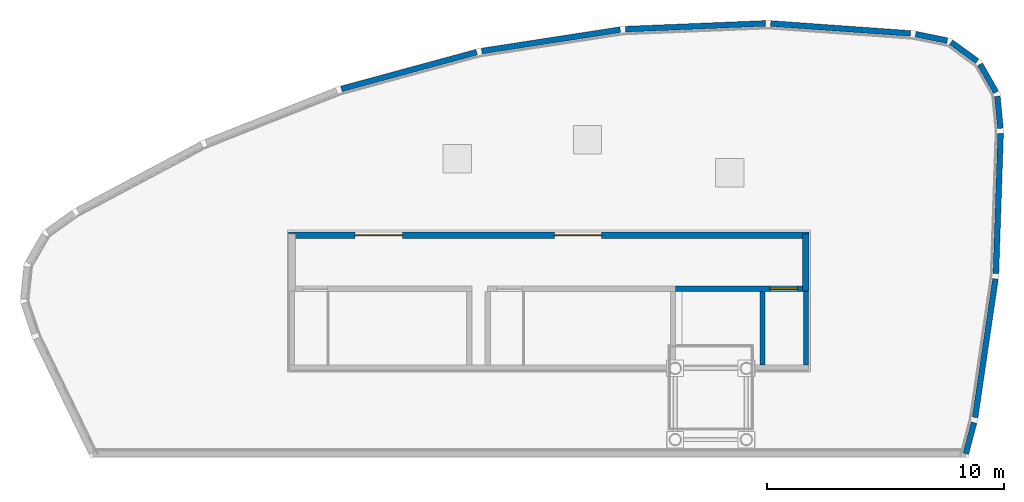
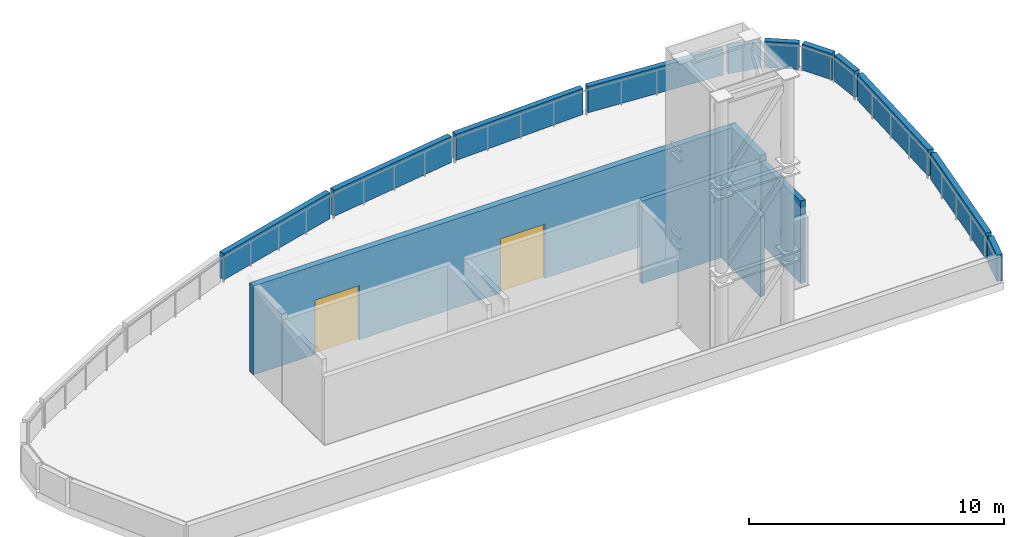
# One storey, part 2 of 3: 16 walls, 3 doors, 3 openings.
"""IFC4 building model written with IfcOpenShell, lengths in metres."""

from ifc_helpers import new_model, si_unit, direction, frame, frame_2d, origin, place, context, subcontext, project, spatial, rectangle, extrude, material, layer, layer_set, type_object, element, fill, save


model = new_model("IFC4")

# Units and contexts
model_context = context("Model", 3, precision=1e-05, world=origin(), true_north=direction((0.0, 1.0)))
body_context = subcontext(model_context, "Body", "Model", "MODEL_VIEW")
ifc_project = project(units=[si_unit("LENGTHUNIT", "METRE"), si_unit("AREAUNIT", "SQUARE_METRE"), si_unit("VOLUMEUNIT", "CUBIC_METRE"), si_unit("PLANEANGLEUNIT", "RADIAN"), si_unit("MASSUNIT", "GRAM", prefix="KILO")], contexts=[model_context])

# Site, building, storey
site_placement = place(None, origin())
site = spatial("IfcSite", under=ifc_project, at=site_placement, CompositionType="ELEMENT")
building_placement = place(site_placement, origin())
building = spatial("IfcBuilding", under=site, at=building_placement, Name="Tavelor Broadcast Tower", CompositionType="ELEMENT")
storey_placement = place(building_placement, frame((0.0, 0.0, 359.699951171875)))
storey = spatial("IfcBuildingStorey", under=building, at=storey_placement, Name="RF", CompositionType="ELEMENT", Elevation=359.699951171875)

# Wall
ifc_material_1 = material(Name="Precast Concrete C40/50", Category="concrete")
ifc_layer_1 = layer(ifc_material_1, 0.280029296875)
ifc_layer_set_1 = layer_set([ifc_layer_1], Name="Precast Concrete C40/50")
wall_type_1 = type_object("IfcWallType", Name="Insulated Precast Terracotta Facade Wall 280 mm", PredefinedType="STANDARD", material=ifc_layer_set_1)
wall_1_placement = place(storey_placement, frame((56.7099609375, 51.219970703125, 0.0), z_axis=(0.0, 0.0, 1.0), x_axis=(0.0, 1.0, 0.0)))
element("IfcWall", 1, at=wall_1_placement, inside=storey, type_object=wall_type_1, Name="RF Stair Head-House East Facade Wall", PredefinedType="STANDARD", context=body_context, shape_type="SweptSolid", body=[
    extrude(rectangle(XDim=2.400146484375, YDim=0.280029296875, at=frame_2d((1.2001953125, 0.0))), origin(), (0.0, 0.0, 1.0), 4.25),
])

# Wall, openings, doors
wall_2_placement = place(storey_placement, frame((34.89990234375, 53.56005859375, 0.0), z_axis=(0.0, 0.0, 1.0), x_axis=(1.0, 0.0, 0.0)))
wall_2 = element("IfcWall", 2, at=wall_2_placement, inside=storey, type_object=wall_type_1, Name="RF Stair Head-House North Facade Wall", PredefinedType="STANDARD", context=body_context, shape_type="SweptSolid", body=[
    extrude(rectangle(XDim=21.9501953125, YDim=0.280029296875, at=frame_2d((10.97509765625, 0.0))), origin(), (0.0, 0.0, 1.0), 4.25),
])
opening_1_placement = place(wall_2_placement, frame((2.800048828125, 0.0, 0.0)))
opening_1 = element("IfcOpeningElement", 3, at=opening_1_placement, cuts=wall_2, Name="Opening DR47", PredefinedType="OPENING", context=body_context, shape_type="SweptSolid", body=[
    extrude(rectangle(XDim=2.0, YDim=2.60009765625, at=frame_2d((1.0, 1.300048828125))), frame((0.0, 0.14990234375, 0.0), z_axis=(0.0, -1.0, 0.0), x_axis=(1.0, 0.0, 0.0)), (0.0, 0.0, 1.0), 0.300048828125),
])
opening_2_placement = place(wall_2_placement, frame((11.199951171875, 0.0, 0.0)))
opening_2 = element("IfcOpeningElement", 4, at=opening_2_placement, cuts=wall_2, Name="Opening DR47", PredefinedType="OPENING", context=body_context, shape_type="SweptSolid", body=[
    extrude(rectangle(XDim=2.0, YDim=2.60009765625, at=frame_2d((1.0, 1.300048828125))), frame((0.0, 0.14990234375, 0.0), z_axis=(0.0, -1.0, 0.0), x_axis=(1.0, 0.0, 0.0)), (0.0, 0.0, 1.0), 0.300048828125),
])
ifc_material_2 = material(Name="Architectural Anodized Aluminium", Category="aluminium")
door_type_1 = type_object("IfcDoorType", Name="Main Plaza Entrance Double Exit Door 2000x2600", OperationType="NOTDEFINED", PredefinedType="DOOR", material=ifc_material_2)
door_1_placement = place(opening_1_placement, frame((2.0, 0.0, 0.0), z_axis=(0.0, 0.0, 1.0), x_axis=(-1.0, 0.0, 0.0)))
door_1 = element("IfcDoor", 5, at=door_1_placement, inside=storey, type_object=door_type_1, Name="RF Stair ST5 Head-House Roof Maintenance Access Door", OperationType="DOUBLE_DOOR_SINGLE_SWING", OverallHeight=2.60009765625, OverallWidth=2.0, PredefinedType="DOOR", context=body_context, shape_type="SweptSolid", body=[
    extrude(rectangle(XDim=2.0, YDim=2.60009765625, at=frame_2d((1.0, 1.300048828125))), frame((0.0, 0.02490234375, 0.0), z_axis=(0.0, -1.0, 0.0), x_axis=(1.0, 0.0, 0.0)), (0.0, 0.0, 1.0), 0.050048828125),
])
fill(opening_1, door_1)
door_2_placement = place(opening_2_placement, frame((2.0, 0.0, 0.0), z_axis=(0.0, 0.0, 1.0), x_axis=(-1.0, 0.0, 0.0)))
door_2 = element("IfcDoor", 6, at=door_2_placement, inside=storey, type_object=door_type_1, Name="RF Stair ST1 Head-House Roof Maintenance Access Door", OperationType="DOUBLE_DOOR_SINGLE_SWING", OverallHeight=2.60009765625, OverallWidth=2.0, PredefinedType="DOOR", context=body_context, shape_type="SweptSolid", body=[
    extrude(rectangle(XDim=2.0, YDim=2.60009765625, at=frame_2d((1.0, 1.300048828125))), frame((0.0, 0.02490234375, 0.0), z_axis=(0.0, -1.0, 0.0), x_axis=(1.0, 0.0, 0.0)), (0.0, 0.0, 1.0), 0.050048828125),
])
fill(opening_2, door_2)

# Walls
ifc_material_3 = material(Name="Concrete Blockwork 200 mm", Category="masonry")
ifc_layer_2 = layer(ifc_material_3, 0.199951171875)
ifc_layer_set_2 = layer_set([ifc_layer_2], Name="Concrete Blockwork 200 mm")
wall_type_2 = type_object("IfcWallType", Name="Lift and Riser Shaft Enclosure Wall 200 mm", PredefinedType="PARTITIONING", material=ifc_layer_set_2)
wall_3_placement = place(storey_placement, frame((54.8798828125, 48.10009765625, 0.0), z_axis=(0.0, 0.0, 1.0), x_axis=(0.0, 1.0, 0.0)))
element("IfcWall", 7, at=wall_3_placement, inside=storey, type_object=wall_type_2, Name="RF Lift SVL1 Overrun Separator Wall", PredefinedType="PARTITIONING", context=body_context, shape_type="SweptSolid", body=[
    extrude(rectangle(XDim=3.099853515625, YDim=0.199951171875, at=frame_2d((1.5498046875, 0.0))), origin(), (0.0, 0.0, 1.0), 3.85009765625),
])
ifc_layer_3 = layer(ifc_material_1, 0.239990234375)
ifc_layer_set_3 = layer_set([ifc_layer_3], Name="Precast Concrete C40/50")
wall_type_3 = type_object("IfcWallType", Name="Roof and Terrace Perimeter Parapet Wall 240 mm", PredefinedType="PARAPET", material=ifc_layer_set_3)
wall_4_placement = place(storey_placement, frame((63.45361328125, 44.351806640625, 0.0), z_axis=(0.0, 0.0, 1.0), x_axis=(0.255210308529, 0.966885566352, 0.0)))
element("IfcWall", 8, at=wall_4_placement, inside=storey, type_object=wall_type_3, Name="RF Peak A Roof Perimeter Parapet 02", PredefinedType="PARAPET", context=body_context, shape_type="SweptSolid", body=[
    extrude(rectangle(XDim=1.357421875, YDim=0.239990234375, at=frame_2d((0.6787109375, 0.0))), origin(), (0.0, 0.0, 1.0), 1.25),
])
wall_5_placement = place(storey_placement, frame((63.844970703125, 45.8837890625, 0.0), z_axis=(0.0, 0.0, 1.0), x_axis=(0.145263107592, 0.989393061211, 0.0)))
element("IfcWall", 9, at=wall_5_placement, inside=storey, type_object=wall_type_3, Name="RF Peak A Roof Perimeter Parapet 03", PredefinedType="PARAPET", context=body_context, shape_type="SweptSolid", body=[
    extrude(rectangle(XDim=5.906005859375, YDim=0.239990234375, at=frame_2d((2.953125, 0.0))), origin(), (0.0, 0.0, 1.0), 1.25),
])
wall_6_placement = place(storey_placement, frame((64.722900390625, 51.949951171875, 0.0), z_axis=(0.0, 0.0, 1.0), x_axis=(0.033482745864, 0.99943929567, 0.0)))
element("IfcWall", 10, at=wall_6_placement, inside=storey, type_object=wall_type_3, Name="RF Peak A Roof Perimeter Parapet 04", PredefinedType="PARAPET", context=body_context, shape_type="SweptSolid", body=[
    extrude(rectangle(XDim=5.90625, YDim=0.239990234375, at=frame_2d((2.953125, 0.0))), origin(), (0.0, 0.0, 1.0), 1.25),
])
wall_7_placement = place(storey_placement, frame((64.913818359375, 58.07373046875, 0.0), z_axis=(0.0, 0.0, 1.0), x_axis=(-0.096891879034, 0.995294912967, 0.0)))
element("IfcWall", 11, at=wall_7_placement, inside=storey, type_object=wall_type_3, Name="RF Peak A Roof Perimeter Parapet 05", PredefinedType="PARAPET", context=body_context, shape_type="SweptSolid", body=[
    extrude(rectangle(XDim=1.360595703125, YDim=0.239990234375, at=frame_2d((0.68017578125, 0.0))), origin(), (0.0, 0.0, 1.0), 1.25),
])
for number, where, z_axis, x_axis, name in (
    (12, (64.728515625, 59.59521484375, 0.0), (0.0, 0.0, 1.0), (-0.497665030532, 0.867369308533, 0.0), "RF Peak A Roof Perimeter Parapet 06"),
    (13, (63.933837890625, 60.90576171875, 0.0), (0.0, 0.0, 1.0), (-0.810470952247, 0.585778828196, 0.0), "RF Peak A Roof Perimeter Parapet 07"),
):
    element("IfcWall", number, at=place(storey_placement, frame(where, z_axis=z_axis, x_axis=x_axis)), inside=storey, type_object=wall_type_3, Name=name, PredefinedType="PARAPET", context=body_context, shape_type="SweptSolid", body=[
        extrude(rectangle(XDim=1.3603515625, YDim=0.239990234375, at=frame_2d((0.68017578125, 0.0))), origin(), (0.0, 0.0, 1.0), 1.25),
    ])
wall_8_placement = place(storey_placement, frame((62.67041015625, 61.773193359375, 0.0), z_axis=(0.0, 0.0, 1.0), x_axis=(-0.979743746461, 0.200255315211, 0.0)))
element("IfcWall", 14, at=wall_8_placement, inside=storey, type_object=wall_type_3, Name="RF Peak A Roof Perimeter Parapet 08", PredefinedType="PARAPET", context=body_context, shape_type="SweptSolid", body=[
    extrude(rectangle(XDim=1.360595703125, YDim=0.239990234375, at=frame_2d((0.68017578125, 0.0))), origin(), (0.0, 0.0, 1.0), 1.25),
])
wall_9_placement = place(storey_placement, frame((61.1181640625, 62.07568359375, 0.0), z_axis=(0.0, 0.0, 1.0), x_axis=(-0.997466039004, 0.071144226993, 0.0)))
element("IfcWall", 15, at=wall_9_placement, inside=storey, type_object=wall_type_3, Name="RF Peak A Roof Perimeter Parapet 09", PredefinedType="PARAPET", context=body_context, shape_type="SweptSolid", body=[
    extrude(rectangle(XDim=5.90576171875, YDim=0.239990234375, at=frame_2d((2.952880859375, 0.0))), origin(), (0.0, 0.0, 1.0), 1.25),
])
for number, where, z_axis, x_axis, name in (
    (16, (55.00341796875, 62.499267578125, 0.0), (0.0, 0.0, 1.0), (-0.999157189471, -0.041047664108, 0.0), "RF Peak A Roof Perimeter Parapet 10"),
    (17, (48.87939453125, 62.235107421875, 0.0), (0.0, 0.0, 1.0), (-0.988272083648, -0.152703270046, 0.0), "RF Peak A Roof Perimeter Parapet 11"),
):
    element("IfcWall", number, at=place(storey_placement, frame(where, z_axis=z_axis, x_axis=x_axis)), inside=storey, type_object=wall_type_3, Name=name, PredefinedType="PARAPET", context=body_context, shape_type="SweptSolid", body=[
        extrude(rectangle(XDim=5.906005859375, YDim=0.239990234375, at=frame_2d((2.953125, 0.0))), origin(), (0.0, 0.0, 1.0), 1.25),
    ])
wall_10_placement = place(storey_placement, frame((42.823486328125, 61.28662109375, 0.0), z_axis=(0.0, 0.0, 1.0), x_axis=(-0.964952463492, -0.262424738165, 0.0)))
element("IfcWall", 18, at=wall_10_placement, inside=storey, type_object=wall_type_3, Name="RF Peak A Roof Perimeter Parapet 12", PredefinedType="PARAPET", context=body_context, shape_type="SweptSolid", body=[
    extrude(rectangle(XDim=5.90576171875, YDim=0.239990234375, at=frame_2d((2.952880859375, 0.0))), origin(), (0.0, 0.0, 1.0), 1.25),
])
ifc_material_4 = material(Name="Concrete C40/50", Category="concrete")
ifc_layer_4 = layer(ifc_material_4, 0.219970703125)
ifc_layer_set_4 = layer_set([ifc_layer_4], Name="Concrete C40/50")
wall_type_4 = type_object("IfcWallType", Name="Structural Stairwell Shear Wall 220 mm", PredefinedType="SHEAR", material=ifc_layer_set_4)
wall_11_placement = place(storey_placement, frame((56.7099609375, 48.10009765625, 0.0), z_axis=(0.0, 0.0, 1.0), x_axis=(0.0, 1.0, 0.0)))
element("IfcWall", 19, at=wall_11_placement, inside=storey, type_object=wall_type_4, Name="RF Service Lift Head-House East Wall", PredefinedType="SHEAR", context=body_context, shape_type="SweptSolid", body=[
    extrude(rectangle(XDim=3.099853515625, YDim=0.219970703125, at=frame_2d((1.5498046875, 0.0))), origin(), (0.0, 0.0, 1.0), 3.949951171875),
])

# Wall, opening, door
wall_12_placement = place(storey_placement, frame((51.219970703125, 51.31005859375, 0.0), z_axis=(0.0, 0.0, 1.0), x_axis=(1.0, 0.0, 0.0)))
wall_12 = element("IfcWall", 20, at=wall_12_placement, inside=storey, type_object=wall_type_4, Name="RF Service Lift Head-House North Wall", PredefinedType="SHEAR", context=body_context, shape_type="SweptSolid", body=[
    extrude(rectangle(XDim=5.60009765625, YDim=0.219970703125, at=frame_2d((2.800048828125, 0.0))), origin(), (0.0, 0.0, 1.0), 3.949951171875),
])
opening_3_placement = place(wall_12_placement, frame((3.985107421875, 0.0, 0.0)))
opening_3 = element("IfcOpeningElement", 21, at=opening_3_placement, cuts=wall_12, Name="Opening LD03", PredefinedType="OPENING", context=body_context, shape_type="SweptSolid", body=[
    extrude(rectangle(XDim=1.14990234375, YDim=2.199951171875, at=frame_2d((0.574951171875, 1.10009765625))), frame((0.0, 0.1201171875, 0.0), z_axis=(0.0, -1.0, 0.0), x_axis=(1.0, 0.0, 0.0)), (0.0, 0.0, 1.0), 0.239990234375),
])
ifc_material_5 = material(Name="Reinforced Brushed Stainless Steel", Category="concrete")
door_type_2 = type_object("IfcDoorType", Name="Broadcast Goods Lift Sliding Landing Door 1250x2200", OperationType="NOTDEFINED", PredefinedType="DOOR", material=ifc_material_5)
door_3_placement = place(opening_3_placement, origin())
door_3 = element("IfcDoor", 22, at=door_3_placement, inside=storey, type_object=door_type_2, Name="RF Lift SVL1 Sliding Landing Door", OperationType="SLIDING_TO_LEFT", OverallHeight=2.199951171875, OverallWidth=1.14990234375, PredefinedType="DOOR", context=body_context, shape_type="SweptSolid", body=[
    extrude(rectangle(XDim=1.14990234375, YDim=2.199951171875, at=frame_2d((0.574951171875, 1.10009765625))), frame((0.0, 0.02490234375, 0.0), z_axis=(0.0, -1.0, 0.0), x_axis=(1.0, 0.0, 0.0)), (0.0, 0.0, 1.0), 0.050048828125),
])
fill(opening_3, door_3)

save(model, "model.ifc")
